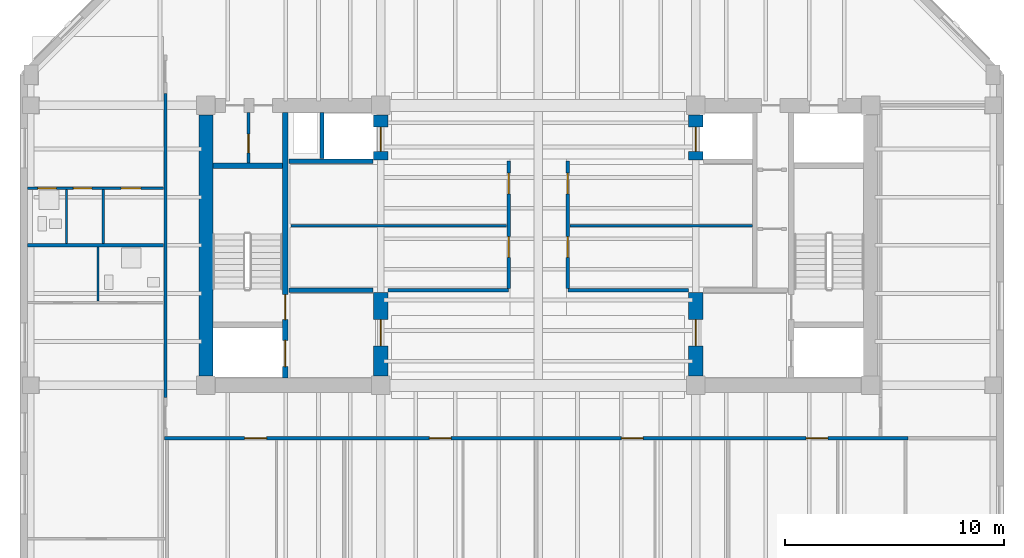
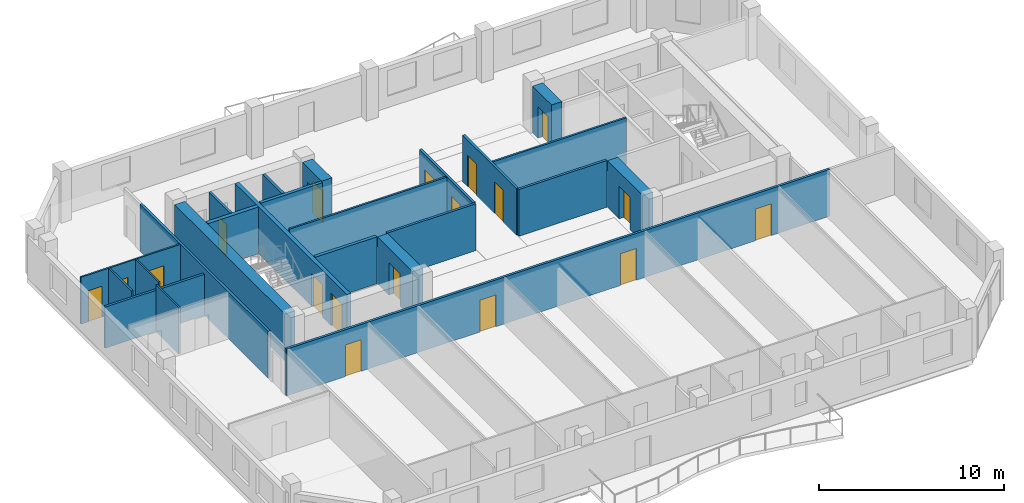
# One storey, part 4 of 11: 24 walls, 18 doors, 18 openings.
"""IFC4 building model written with IfcOpenShell, lengths in metres."""

from ifc_helpers import new_model, si_unit, direction, frame, frame_2d, origin, place, context, subcontext, project, spatial, rectangle, extrude, material, layer, layer_set, type_object, element, fill, save


model = new_model("IFC4")

# Units and contexts
model_context = context("Model", 3, precision=1e-05, world=origin(), true_north=direction((0.0, 1.0)))
body_context = subcontext(model_context, "Body", "Model", "MODEL_VIEW")
ifc_project = project(units=[si_unit("LENGTHUNIT", "METRE"), si_unit("AREAUNIT", "SQUARE_METRE"), si_unit("VOLUMEUNIT", "CUBIC_METRE"), si_unit("PLANEANGLEUNIT", "RADIAN"), si_unit("MASSUNIT", "GRAM", prefix="KILO")], contexts=[model_context])

# Site, building, storey
site_placement = place(None, origin())
site = spatial("IfcSite", under=ifc_project, at=site_placement, CompositionType="ELEMENT")
building_placement = place(site_placement, origin())
building = spatial("IfcBuilding", under=site, at=building_placement, Name="Kranthara Brick Stack", CompositionType="ELEMENT")
storey_placement = place(building_placement, frame((0.0, 0.0, 221.10009765625)))
storey = spatial("IfcBuildingStorey", under=building, at=storey_placement, Name="L57", CompositionType="ELEMENT", Elevation=221.10009765625)

# Wall, openings, doors
ifc_material_1 = material(Name="Concrete C50/60", Category="concrete")
ifc_layer_1 = layer(ifc_material_1, 0.25)
ifc_layer_set_1 = layer_set([ifc_layer_1], Name="Concrete C50/60")
wall_type_1 = type_object("IfcWallType", Name="WL-CORE-250", PredefinedType="SHEAR", material=ifc_layer_set_1)
wall_1_placement = place(storey_placement, frame((16.43505859375, 21.135009765625, 0.0), z_axis=(0.0, 0.0, 1.0), x_axis=(0.0, 1.0, 0.0)))
wall_1 = element("IfcWall", 1, at=wall_1_placement, inside=storey, type_object=wall_type_1, Name="L57 West Core Stair Bearing Spine Wall", PredefinedType="SHEAR", context=body_context, shape_type="SweptSolid", body=[
    extrude(rectangle(XDim=12.1298828125, YDim=0.25, at=frame_2d((6.06494140625, 0.0))), origin(), (0.0, 0.0, 1.0), 3.099853515625),
])
opening_1_placement = place(wall_1_placement, frame((0.514892578125, 0.0, 0.0)))
opening_1 = element("IfcOpeningElement", 2, at=opening_1_placement, cuts=wall_1, Name="Opening LD01", PredefinedType="OPENING", context=body_context, shape_type="SweptSolid", body=[
    extrude(rectangle(XDim=1.199951171875, YDim=2.14990234375, at=frame_2d((0.60009765625, 1.074951171875))), frame((0.0, 0.135009765625, 0.0), z_axis=(0.0, -1.0, 0.0), x_axis=(1.0, 0.0, 0.0)), (0.0, 0.0, 1.0), 0.27001953125),
])
opening_2_placement = place(wall_1_placement, frame((2.6650390625, 0.0, 0.0)))
opening_2 = element("IfcOpeningElement", 3, at=opening_2_placement, cuts=wall_1, Name="Opening D05", PredefinedType="OPENING", context=body_context, shape_type="SweptSolid", body=[
    extrude(rectangle(XDim=1.14990234375, YDim=2.14990234375, at=frame_2d((0.574951171875, 1.074951171875))), frame((0.0, 0.135009765625, 0.0), z_axis=(0.0, -1.0, 0.0), x_axis=(1.0, 0.0, 0.0)), (0.0, 0.0, 1.0), 0.27001953125),
])
ifc_material_2 = material(Name="Stainless steel sliding landing door", Category="steel")
door_type_1 = type_object("IfcDoorType", Name="DR-LD-FF1200", OperationType="DOUBLE_DOOR_SLIDING", PredefinedType="DOOR", material=ifc_material_2)
door_1_placement = place(opening_1_placement, origin())
door_1 = element("IfcDoor", 4, at=door_1_placement, inside=storey, type_object=door_type_1, Name="L57 Firefighting Lift FF-01 Landing Door", OperationType="DOUBLE_DOOR_SLIDING", OverallHeight=2.14990234375, OverallWidth=1.199951171875, PredefinedType="DOOR", context=body_context, shape_type="SweptSolid", body=[
    extrude(rectangle(XDim=1.199951171875, YDim=2.14990234375, at=frame_2d((0.60009765625, 1.074951171875))), frame((0.0, 0.02490234375, 0.0), z_axis=(0.0, -1.0, 0.0), x_axis=(1.0, 0.0, 0.0)), (0.0, 0.0, 1.0), 0.050048828125),
])
fill(opening_1, door_1)
ifc_material_3 = material(Name="Solid-core hardwood timber leaf in steel frame", Category="steel")
door_type_2 = type_object("IfcDoorType", Name="DR-ST-1150", OperationType="NOTDEFINED", PredefinedType="DOOR", material=ifc_material_3)
door_2_placement = place(opening_2_placement, origin())
door_2 = element("IfcDoor", 5, at=door_2_placement, inside=storey, type_object=door_type_2, Name="L57 Exit Stair ST01 Door", OperationType="SINGLE_SWING_RIGHT", OverallHeight=2.14990234375, OverallWidth=1.14990234375, PredefinedType="DOOR", context=body_context, shape_type="SweptSolid", body=[
    extrude(rectangle(XDim=1.14990234375, YDim=2.14990234375, at=frame_2d((0.574951171875, 1.074951171875))), frame((0.0, 0.02490234375, 0.0), z_axis=(0.0, -1.0, 0.0), x_axis=(1.0, 0.0, 0.0)), (0.0, 0.0, 1.0), 0.050048828125),
])
fill(opening_2, door_2)

# Walls
wall_2_placement = place(storey_placement, frame((13.135009765625, 30.830078125, 0.0), z_axis=(0.0, 0.0, 1.0), x_axis=(1.0, 0.0, 0.0)))
element("IfcWall", 6, at=wall_2_placement, inside=storey, type_object=wall_type_1, Name="L57 West Stairwell Bearing Wall WST", PredefinedType="SHEAR", context=body_context, shape_type="SweptSolid", body=[
    extrude(rectangle(XDim=3.175048828125, YDim=0.25, at=frame_2d((1.58740234375, 0.0))), origin(), (0.0, 0.0, 1.0), 3.099853515625),
])
ifc_material_4 = material(Name="Concrete C60/75", Category="concrete")
ifc_layer_2 = layer(ifc_material_4, 0.64990234375)
ifc_layer_set_2 = layer_set([ifc_layer_2], Name="Concrete C60/75")
wall_type_2 = type_object("IfcWallType", Name="WL-CORE-650", PredefinedType="SHEAR", material=ifc_layer_set_2)
wall_3_placement = place(storey_placement, frame((12.800048828125, 21.22998046875, 0.0), z_axis=(0.0, 0.0, 1.0), x_axis=(0.0, 1.0, 0.0)))
element("IfcWall", 7, at=wall_3_placement, inside=storey, type_object=wall_type_2, Name="L57 West Core Shear Wall West", PredefinedType="SHEAR", context=body_context, shape_type="SweptSolid", body=[
    extrude(rectangle(XDim=11.93994140625, YDim=0.64990234375, at=frame_2d((5.969970703125, 0.0))), origin(), (0.0, 0.0, 1.0), 3.099853515625),
])

# Wall, opening, door
wall_4_placement = place(storey_placement, frame((20.800048828125, 21.22998046875, 0.0), z_axis=(0.0, 0.0, 1.0), x_axis=(0.0, 1.0, 0.0)))
wall_4 = element("IfcWall", 8, at=wall_4_placement, inside=storey, type_object=wall_type_2, Name="L57 West Core Lobby Shear Wall", PredefinedType="SHEAR", context=body_context, shape_type="SweptSolid", body=[
    extrude(rectangle(XDim=3.820068359375, YDim=0.64990234375, at=frame_2d((1.91015625, 0.0))), origin(), (0.0, 0.0, 1.0), 3.099853515625),
])
opening_3_placement = place(wall_4_placement, frame((1.3701171875, 0.0, 0.0)))
opening_3 = element("IfcOpeningElement", 9, at=opening_3_placement, cuts=wall_4, Name="Opening D06", PredefinedType="OPENING", context=body_context, shape_type="SweptSolid", body=[
    extrude(rectangle(XDim=1.199951171875, YDim=2.14990234375, at=frame_2d((0.60009765625, 1.074951171875))), frame((0.0, 0.3349609375, 0.0), z_axis=(0.0, -1.0, 0.0), x_axis=(1.0, 0.0, 0.0)), (0.0, 0.0, 1.0), 0.669921875),
])
ifc_material_5 = material(Name="Solid-core hardwood timber leaf in steel frame", Category="steel")
door_type_3 = type_object("IfcDoorType", Name="DR-FFL-1200", OperationType="NOTDEFINED", PredefinedType="DOOR", material=ifc_material_5)
door_3_placement = place(opening_3_placement, origin())
door_3 = element("IfcDoor", 10, at=door_3_placement, inside=storey, type_object=door_type_3, Name="L57 West Firefighting Lobby Door", OperationType="SINGLE_SWING_LEFT", OverallHeight=2.14990234375, OverallWidth=1.199951171875, PredefinedType="DOOR", context=body_context, shape_type="SweptSolid", body=[
    extrude(rectangle(XDim=1.199951171875, YDim=2.14990234375, at=frame_2d((0.60009765625, 1.074951171875))), frame((0.0, 0.02490234375, 0.0), z_axis=(0.0, -1.0, 0.0), x_axis=(1.0, 0.0, 0.0)), (0.0, 0.0, 1.0), 0.050048828125),
])
fill(opening_3, door_3)

wall_5_placement = place(storey_placement, frame((20.800048828125, 31.10009765625, 0.0), z_axis=(0.0, 0.0, 1.0), x_axis=(0.0, 1.0, 0.0)))
wall_5 = element("IfcWall", 11, at=wall_5_placement, inside=storey, type_object=wall_type_2, Name="L57 West Core High-Rise Lift Wall", PredefinedType="SHEAR", context=body_context, shape_type="SweptSolid", body=[
    extrude(rectangle(XDim=2.06982421875, YDim=0.64990234375, at=frame_2d((1.034912109375, 0.0))), origin(), (0.0, 0.0, 1.0), 3.099853515625),
])
opening_4_placement = place(wall_5_placement, frame((0.39990234375, 0.0, 0.0)))
opening_4 = element("IfcOpeningElement", 12, at=opening_4_placement, cuts=wall_5, Name="Opening LD02", PredefinedType="OPENING", context=body_context, shape_type="SweptSolid", body=[
    extrude(rectangle(XDim=1.10009765625, YDim=2.10009765625, at=frame_2d((0.550048828125, 1.050048828125))), frame((0.0, 0.3349609375, 0.0), z_axis=(0.0, -1.0, 0.0), x_axis=(1.0, 0.0, 0.0)), (0.0, 0.0, 1.0), 0.669921875),
])
ifc_material_6 = material(Name="Stainless steel sliding landing door", Category="steel")
door_type_4 = type_object("IfcDoorType", Name="DR-LD-PL1100", OperationType="DOUBLE_DOOR_SLIDING", PredefinedType="DOOR", material=ifc_material_6)
door_4_placement = place(opening_4_placement, origin())
door_4 = element("IfcDoor", 13, at=door_4_placement, inside=storey, type_object=door_type_4, Name="L57 PL-07 Lift Landing Door", OperationType="DOUBLE_DOOR_SLIDING", OverallHeight=2.10009765625, OverallWidth=1.10009765625, PredefinedType="DOOR", context=body_context, shape_type="SweptSolid", body=[
    extrude(rectangle(XDim=1.10009765625, YDim=2.10009765625, at=frame_2d((0.550048828125, 1.050048828125))), frame((0.0, 0.02490234375, 0.0), z_axis=(0.0, -1.0, 0.0), x_axis=(1.0, 0.0, 0.0)), (0.0, 0.0, 1.0), 0.050048828125),
])
fill(opening_4, door_4)

wall_6_placement = place(storey_placement, frame((35.199951171875, 21.22998046875, 0.0), z_axis=(0.0, 0.0, 1.0), x_axis=(0.0, 1.0, 0.0)))
wall_6 = element("IfcWall", 14, at=wall_6_placement, inside=storey, type_object=wall_type_2, Name="L57 East Core Lobby Shear Wall", PredefinedType="SHEAR", context=body_context, shape_type="SweptSolid", body=[
    extrude(rectangle(XDim=3.820068359375, YDim=0.64990234375, at=frame_2d((1.91015625, 0.0))), origin(), (0.0, 0.0, 1.0), 3.099853515625),
])
opening_5_placement = place(wall_6_placement, frame((1.3701171875, 0.0, 0.0)))
opening_5 = element("IfcOpeningElement", 15, at=opening_5_placement, cuts=wall_6, Name="Opening D06", PredefinedType="OPENING", context=body_context, shape_type="SweptSolid", body=[
    extrude(rectangle(XDim=1.199951171875, YDim=2.14990234375, at=frame_2d((0.60009765625, 1.074951171875))), frame((0.0, 0.3349609375, 0.0), z_axis=(0.0, -1.0, 0.0), x_axis=(1.0, 0.0, 0.0)), (0.0, 0.0, 1.0), 0.669921875),
])
door_5_placement = place(opening_5_placement, origin())
door_5 = element("IfcDoor", 16, at=door_5_placement, inside=storey, type_object=door_type_3, Name="L57 East Firefighting Lobby Door", OperationType="SINGLE_SWING_RIGHT", OverallHeight=2.14990234375, OverallWidth=1.199951171875, PredefinedType="DOOR", context=body_context, shape_type="SweptSolid", body=[
    extrude(rectangle(XDim=1.199951171875, YDim=2.14990234375, at=frame_2d((0.60009765625, 1.074951171875))), frame((0.0, 0.02490234375, 0.0), z_axis=(0.0, -1.0, 0.0), x_axis=(1.0, 0.0, 0.0)), (0.0, 0.0, 1.0), 0.050048828125),
])
fill(opening_5, door_5)

wall_7_placement = place(storey_placement, frame((35.199951171875, 31.10009765625, 0.0), z_axis=(0.0, 0.0, 1.0), x_axis=(0.0, 1.0, 0.0)))
wall_7 = element("IfcWall", 17, at=wall_7_placement, inside=storey, type_object=wall_type_2, Name="L57 East Core High-Rise Lift Wall", PredefinedType="SHEAR", context=body_context, shape_type="SweptSolid", body=[
    extrude(rectangle(XDim=2.06982421875, YDim=0.64990234375, at=frame_2d((1.034912109375, 0.0))), origin(), (0.0, 0.0, 1.0), 3.099853515625),
])
opening_6_placement = place(wall_7_placement, frame((0.39990234375, 0.0, 0.0)))
opening_6 = element("IfcOpeningElement", 18, at=opening_6_placement, cuts=wall_7, Name="Opening LD02", PredefinedType="OPENING", context=body_context, shape_type="SweptSolid", body=[
    extrude(rectangle(XDim=1.10009765625, YDim=2.10009765625, at=frame_2d((0.550048828125, 1.050048828125))), frame((0.0, 0.3349609375, 0.0), z_axis=(0.0, -1.0, 0.0), x_axis=(1.0, 0.0, 0.0)), (0.0, 0.0, 1.0), 0.669921875),
])
door_6_placement = place(opening_6_placement, origin())
door_6 = element("IfcDoor", 19, at=door_6_placement, inside=storey, type_object=door_type_4, Name="L57 PL-08 Lift Landing Door", OperationType="DOUBLE_DOOR_SLIDING", OverallHeight=2.10009765625, OverallWidth=1.10009765625, PredefinedType="DOOR", context=body_context, shape_type="SweptSolid", body=[
    extrude(rectangle(XDim=1.10009765625, YDim=2.10009765625, at=frame_2d((0.550048828125, 1.050048828125))), frame((0.0, 0.02490234375, 0.0), z_axis=(0.0, -1.0, 0.0), x_axis=(1.0, 0.0, 0.0)), (0.0, 0.0, 1.0), 0.050048828125),
])
fill(opening_6, door_6)

# Wall
ifc_material_7 = material(Name="Moisture-resistant wet-room partition", Category="other")
ifc_layer_3 = layer(ifc_material_7, 0.10009765625)
ifc_layer_set_3 = layer_set([ifc_layer_3], Name="Moisture-resistant wet-room partition")
wall_type_3 = type_object("IfcWallType", Name="WL-PART-100", PredefinedType="PARTITIONING", material=ifc_layer_set_3)
wall_8_placement = place(storey_placement, frame((7.864990234375, 24.64501953125, 0.0), z_axis=(0.0, 0.0, 1.0), x_axis=(0.0, 1.0, 0.0)))
element("IfcWall", 20, at=wall_8_placement, inside=storey, type_object=wall_type_3, Name="L57 Interior Partition 037", PredefinedType="PARTITIONING", context=body_context, shape_type="SweptSolid", body=[
    extrude(rectangle(XDim=2.47509765625, YDim=0.10009765625, at=frame_2d((1.237548828125, 0.0))), origin(), (0.0, 0.0, 1.0), 3.099853515625),
])

# Wall, openings, doors
wall_9_placement = place(storey_placement, frame((4.64501953125, 29.81005859375, 0.0), z_axis=(0.0, 0.0, 1.0), x_axis=(1.0, 0.0, 0.0)))
wall_9 = element("IfcWall", 21, at=wall_9_placement, inside=storey, type_object=wall_type_3, Name="L57 Interior Partition 038", PredefinedType="PARTITIONING", context=body_context, shape_type="SweptSolid", body=[
    extrude(rectangle(XDim=6.22509765625, YDim=0.10009765625, at=frame_2d((3.112548828125, 0.0))), origin(), (0.0, 0.0, 1.0), 3.099853515625),
])
opening_7_placement = place(wall_9_placement, frame((0.471923828125, 0.0, 0.0)))
opening_7 = element("IfcOpeningElement", 22, at=opening_7_placement, cuts=wall_9, Name="Opening D17", PredefinedType="OPENING", context=body_context, shape_type="SweptSolid", body=[
    extrude(rectangle(XDim=0.85009765625, YDim=2.050048828125, at=frame_2d((0.425048828125, 1.02490234375))), frame((0.0, 0.06005859375, 0.0), z_axis=(0.0, -1.0, 0.0), x_axis=(1.0, 0.0, 0.0)), (0.0, 0.0, 1.0), 0.1201171875),
])
opening_8_placement = place(wall_9_placement, frame((2.092041015625, 0.0, 0.0)))
opening_8 = element("IfcOpeningElement", 23, at=opening_8_placement, cuts=wall_9, Name="Opening D16", PredefinedType="OPENING", context=body_context, shape_type="SweptSolid", body=[
    extrude(rectangle(XDim=0.85009765625, YDim=2.050048828125, at=frame_2d((0.425048828125, 1.02490234375))), frame((0.0, 0.06005859375, 0.0), z_axis=(0.0, -1.0, 0.0), x_axis=(1.0, 0.0, 0.0)), (0.0, 0.0, 1.0), 0.1201171875),
])
opening_9_placement = place(wall_9_placement, frame((4.284912109375, 0.0, 0.0)))
opening_9 = element("IfcOpeningElement", 24, at=opening_9_placement, cuts=wall_9, Name="Opening D15", PredefinedType="OPENING", context=body_context, shape_type="SweptSolid", body=[
    extrude(rectangle(XDim=0.89990234375, YDim=2.050048828125, at=frame_2d((0.449951171875, 1.02490234375))), frame((0.0, 0.06005859375, 0.0), z_axis=(0.0, -1.0, 0.0), x_axis=(1.0, 0.0, 0.0)), (0.0, 0.0, 1.0), 0.1201171875),
])
ifc_material_8 = material(Name="Solid-core hardwood timber leaf in steel frame", Category="steel")
door_type_5 = type_object("IfcDoorType", Name="DR-INT-850", OperationType="NOTDEFINED", PredefinedType="DOOR", material=ifc_material_8)
door_7_placement = place(opening_8_placement, origin())
door_7 = element("IfcDoor", 25, at=door_7_placement, inside=storey, type_object=door_type_5, Name="L57 Unit L57F Kitchen 31", OperationType="SINGLE_SWING_LEFT", OverallHeight=2.050048828125, OverallWidth=0.85009765625, PredefinedType="DOOR", context=body_context, shape_type="SweptSolid", body=[
    extrude(rectangle(XDim=0.85009765625, YDim=2.050048828125, at=frame_2d((0.425048828125, 1.02490234375))), frame((0.0, 0.02490234375, 0.0), z_axis=(0.0, -1.0, 0.0), x_axis=(1.0, 0.0, 0.0)), (0.0, 0.0, 1.0), 0.050048828125),
])
fill(opening_8, door_7)
ifc_material_9 = material(Name="Solid-core hardwood timber leaf in steel frame", Category="steel")
door_type_6 = type_object("IfcDoorType", Name="DR-INT-900", OperationType="NOTDEFINED", PredefinedType="DOOR", material=ifc_material_9)
door_8_placement = place(opening_9_placement, origin())
door_8 = element("IfcDoor", 26, at=door_8_placement, inside=storey, type_object=door_type_6, Name="L57 Unit L57F Bedroom 32", OperationType="SINGLE_SWING_RIGHT", OverallHeight=2.050048828125, OverallWidth=0.89990234375, PredefinedType="DOOR", context=body_context, shape_type="SweptSolid", body=[
    extrude(rectangle(XDim=0.89990234375, YDim=2.050048828125, at=frame_2d((0.449951171875, 1.02490234375))), frame((0.0, 0.02490234375, 0.0), z_axis=(0.0, -1.0, 0.0), x_axis=(1.0, 0.0, 0.0)), (0.0, 0.0, 1.0), 0.050048828125),
])
fill(opening_9, door_8)
ifc_material_10 = material(Name="Solid-core hardwood timber leaf in steel frame", Category="steel")
door_type_7 = type_object("IfcDoorType", Name="DR-WET-850", OperationType="NOTDEFINED", PredefinedType="DOOR", material=ifc_material_10)
door_9_placement = place(opening_7_placement, origin())
door_9 = element("IfcDoor", 27, at=door_9_placement, inside=storey, type_object=door_type_7, Name="L57 Unit L57F Bathroom 30", OperationType="SINGLE_SWING_RIGHT", OverallHeight=2.050048828125, OverallWidth=0.85009765625, PredefinedType="DOOR", context=body_context, shape_type="SweptSolid", body=[
    extrude(rectangle(XDim=0.85009765625, YDim=2.050048828125, at=frame_2d((0.425048828125, 1.02490234375))), frame((0.0, 0.02490234375, 0.0), z_axis=(0.0, -1.0, 0.0), x_axis=(1.0, 0.0, 0.0)), (0.0, 0.0, 1.0), 0.050048828125),
])
fill(opening_7, door_9)

# Walls
for number, where, z_axis, x_axis, name in (
    (28, (6.425048828125, 27.280029296875, 0.0), (0.0, 0.0, 1.0), (0.0, 1.0, 0.0), "L57 Interior Partition 039"),
    (29, (8.110107421875, 27.280029296875, 0.0), (0.0, 0.0, 1.0), (0.0, 1.0, 0.0), "L57 Interior Partition 040"),
):
    element("IfcWall", number, at=place(storey_placement, frame(where, z_axis=z_axis, x_axis=x_axis)), inside=storey, type_object=wall_type_3, Name=name, PredefinedType="PARTITIONING", context=body_context, shape_type="SweptSolid", body=[
        extrude(rectangle(XDim=2.474853515625, YDim=0.10009765625, at=frame_2d((1.2373046875, 0.0))), origin(), (0.0, 0.0, 1.0), 3.099853515625),
    ])
ifc_material_11 = material(Name="Acoustic gypsum plasterboard partition", Category="other")
ifc_layer_4 = layer(ifc_material_11, 0.1201171875)
ifc_layer_set_4 = layer_set([ifc_layer_4], Name="Acoustic gypsum plasterboard partition")
wall_type_4 = type_object("IfcWallType", Name="WL-PART-120", PredefinedType="PARTITIONING", material=ifc_layer_set_4)
wall_10_placement = place(storey_placement, frame((16.699951171875, 28.10009765625, 0.0), z_axis=(0.0, 0.0, 1.0), x_axis=(1.0, 0.0, 0.0)))
element("IfcWall", 30, at=wall_10_placement, inside=storey, type_object=wall_type_4, Name="L57 Interior Partition 007", PredefinedType="PARTITIONING", context=body_context, shape_type="SweptSolid", body=[
    extrude(rectangle(XDim=9.85009765625, YDim=0.1201171875, at=frame_2d((4.925048828125, 0.0))), origin(), (0.0, 0.0, 1.0), 3.099853515625),
])
wall_11_placement = place(storey_placement, frame((29.449951171875, 28.10009765625, 0.0), z_axis=(0.0, 0.0, 1.0), x_axis=(1.0, 0.0, 0.0)))
element("IfcWall", 31, at=wall_11_placement, inside=storey, type_object=wall_type_4, Name="L57 Interior Partition 009", PredefinedType="PARTITIONING", context=body_context, shape_type="SweptSolid", body=[
    extrude(rectangle(XDim=8.344970703125, YDim=0.1201171875, at=frame_2d((4.17236328125, 0.0))), origin(), (0.0, 0.0, 1.0), 3.099853515625),
])

# Wall, opening, door
ifc_material_12 = material(Name="Fire-rated gypsum board partition", Category="other")
ifc_layer_5 = layer(ifc_material_12, 0.14990234375)
ifc_layer_set_5 = layer_set([ifc_layer_5], Name="Fire-rated gypsum board partition")
wall_type_5 = type_object("IfcWallType", Name="WL-PART-150", PredefinedType="PARTITIONING", material=ifc_layer_set_5)
wall_12_placement = place(storey_placement, frame((14.75, 30.9599609375, 0.0), z_axis=(0.0, 0.0, 1.0), x_axis=(0.0, 1.0, 0.0)))
wall_12 = element("IfcWall", 32, at=wall_12_placement, inside=storey, type_object=wall_type_5, Name="L57 Interior Partition 001", PredefinedType="PARTITIONING", context=body_context, shape_type="SweptSolid", body=[
    extrude(rectangle(XDim=2.31005859375, YDim=0.14990234375, at=frame_2d((1.155029296875, 0.0))), origin(), (0.0, 0.0, 1.0), 3.099853515625),
])
opening_10_placement = place(wall_12_placement, frame((0.469970703125, 0.0, 0.0)))
opening_10 = element("IfcOpeningElement", 33, at=opening_10_placement, cuts=wall_12, Name="Opening D10", PredefinedType="OPENING", context=body_context, shape_type="SweptSolid", body=[
    extrude(rectangle(XDim=0.85009765625, YDim=2.02001953125, at=frame_2d((0.425048828125, 1.010009765625))), frame((0.0, 0.0849609375, 0.0), z_axis=(0.0, -1.0, 0.0), x_axis=(1.0, 0.0, 0.0)), (0.0, 0.0, 1.0), 0.169921875),
])
ifc_material_13 = material(Name="Solid-core hardwood timber leaf in steel frame", Category="steel")
door_type_8 = type_object("IfcDoorType", Name="DR-RSR-850", OperationType="NOTDEFINED", PredefinedType="DOOR", material=ifc_material_13)
door_10_placement = place(opening_10_placement, origin())
door_10 = element("IfcDoor", 34, at=door_10_placement, inside=storey, type_object=door_type_8, Name="L57 Service Interconnect 01", OperationType="SINGLE_SWING_LEFT", OverallHeight=2.02001953125, OverallWidth=0.85009765625, PredefinedType="DOOR", context=body_context, shape_type="SweptSolid", body=[
    extrude(rectangle(XDim=0.85009765625, YDim=2.02001953125, at=frame_2d((0.425048828125, 1.010009765625))), frame((0.0, 0.02490234375, 0.0), z_axis=(0.0, -1.0, 0.0), x_axis=(1.0, 0.0, 0.0)), (0.0, 0.0, 1.0), 0.050048828125),
])
fill(opening_10, door_10)

# Walls
for number, where, z_axis, x_axis, name in (
    (35, (21.1298828125, 25.14990234375, 0.0), (0.0, 0.0, 1.0), (1.0, 0.0, 0.0), "L57 Interior Partition 004"),
    (36, (29.35009765625, 25.14990234375, 0.0), (0.0, 0.0, 1.0), (1.0, 0.0, 0.0), "L57 Interior Partition 005"),
):
    element("IfcWall", number, at=place(storey_placement, frame(where, z_axis=z_axis, x_axis=x_axis)), inside=storey, type_object=wall_type_5, Name=name, PredefinedType="PARTITIONING", context=body_context, shape_type="SweptSolid", body=[
        extrude(rectangle(XDim=5.52001953125, YDim=0.14990234375, at=frame_2d((2.760009765625, 0.0))), origin(), (0.0, 0.0, 1.0), 3.099853515625),
    ])

# Wall, openings, doors
wall_13_placement = place(storey_placement, frame((26.64990234375, 25.22998046875, 0.0), z_axis=(0.0, 0.0, 1.0), x_axis=(0.0, 1.0, 0.0)))
wall_13 = element("IfcWall", 37, at=wall_13_placement, inside=storey, type_object=wall_type_5, Name="L57 Interior Partition 006", PredefinedType="PARTITIONING", context=body_context, shape_type="SweptSolid", body=[
    extrude(rectangle(XDim=5.820068359375, YDim=0.14990234375, at=frame_2d((2.91015625, 0.0))), origin(), (0.0, 0.0, 1.0), 3.099853515625),
])
opening_11_placement = place(wall_13_placement, frame((1.419921875, 0.0, 0.0)))
opening_11 = element("IfcOpeningElement", 38, at=opening_11_placement, cuts=wall_13, Name="Opening D09", PredefinedType="OPENING", context=body_context, shape_type="SweptSolid", body=[
    extrude(rectangle(XDim=0.949951171875, YDim=2.10009765625, at=frame_2d((0.47509765625, 1.050048828125))), frame((0.0, 0.0849609375, 0.0), z_axis=(0.0, -1.0, 0.0), x_axis=(1.0, 0.0, 0.0)), (0.0, 0.0, 1.0), 0.169921875),
])
opening_12_placement = place(wall_13_placement, frame((4.320068359375, 0.0, 0.0)))
opening_12 = element("IfcOpeningElement", 39, at=opening_12_placement, cuts=wall_13, Name="Opening D09", PredefinedType="OPENING", context=body_context, shape_type="SweptSolid", body=[
    extrude(rectangle(XDim=0.949951171875, YDim=2.10009765625, at=frame_2d((0.47509765625, 1.050048828125))), frame((0.0, 0.0849609375, 0.0), z_axis=(0.0, -1.0, 0.0), x_axis=(1.0, 0.0, 0.0)), (0.0, 0.0, 1.0), 0.169921875),
])
ifc_material_14 = material(Name="Solid-core hardwood timber leaf in steel frame", Category="steel")
door_type_9 = type_object("IfcDoorType", Name="DR-FD-950", OperationType="NOTDEFINED", PredefinedType="DOOR", material=ifc_material_14)
door_11_placement = place(opening_11_placement, origin())
door_11 = element("IfcDoor", 40, at=door_11_placement, inside=storey, type_object=door_type_9, Name="L57 Residents Study A 04", OperationType="SINGLE_SWING_RIGHT", OverallHeight=2.10009765625, OverallWidth=0.949951171875, PredefinedType="DOOR", context=body_context, shape_type="SweptSolid", body=[
    extrude(rectangle(XDim=0.949951171875, YDim=2.10009765625, at=frame_2d((0.47509765625, 1.050048828125))), frame((0.0, 0.02490234375, 0.0), z_axis=(0.0, -1.0, 0.0), x_axis=(1.0, 0.0, 0.0)), (0.0, 0.0, 1.0), 0.050048828125),
])
fill(opening_11, door_11)
door_12_placement = place(opening_12_placement, origin())
door_12 = element("IfcDoor", 41, at=door_12_placement, inside=storey, type_object=door_type_9, Name="L57 Residents Media Room 05", OperationType="SINGLE_SWING_LEFT", OverallHeight=2.10009765625, OverallWidth=0.949951171875, PredefinedType="DOOR", context=body_context, shape_type="SweptSolid", body=[
    extrude(rectangle(XDim=0.949951171875, YDim=2.10009765625, at=frame_2d((0.47509765625, 1.050048828125))), frame((0.0, 0.02490234375, 0.0), z_axis=(0.0, -1.0, 0.0), x_axis=(1.0, 0.0, 0.0)), (0.0, 0.0, 1.0), 0.050048828125),
])
fill(opening_12, door_12)

wall_14_placement = place(storey_placement, frame((29.35009765625, 25.22998046875, 0.0), z_axis=(0.0, 0.0, 1.0), x_axis=(0.0, 1.0, 0.0)))
wall_14 = element("IfcWall", 42, at=wall_14_placement, inside=storey, type_object=wall_type_5, Name="L57 Interior Partition 008", PredefinedType="PARTITIONING", context=body_context, shape_type="SweptSolid", body=[
    extrude(rectangle(XDim=5.820068359375, YDim=0.14990234375, at=frame_2d((2.91015625, 0.0))), origin(), (0.0, 0.0, 1.0), 3.099853515625),
])
opening_13_placement = place(wall_14_placement, frame((1.419921875, 0.0, 0.0)))
opening_13 = element("IfcOpeningElement", 43, at=opening_13_placement, cuts=wall_14, Name="Opening D09", PredefinedType="OPENING", context=body_context, shape_type="SweptSolid", body=[
    extrude(rectangle(XDim=0.949951171875, YDim=2.10009765625, at=frame_2d((0.47509765625, 1.050048828125))), frame((0.0, 0.0849609375, 0.0), z_axis=(0.0, -1.0, 0.0), x_axis=(1.0, 0.0, 0.0)), (0.0, 0.0, 1.0), 0.169921875),
])
opening_14_placement = place(wall_14_placement, frame((4.320068359375, 0.0, 0.0)))
opening_14 = element("IfcOpeningElement", 44, at=opening_14_placement, cuts=wall_14, Name="Opening D09", PredefinedType="OPENING", context=body_context, shape_type="SweptSolid", body=[
    extrude(rectangle(XDim=0.949951171875, YDim=2.10009765625, at=frame_2d((0.47509765625, 1.050048828125))), frame((0.0, 0.0849609375, 0.0), z_axis=(0.0, -1.0, 0.0), x_axis=(1.0, 0.0, 0.0)), (0.0, 0.0, 1.0), 0.169921875),
])
door_13_placement = place(opening_13_placement, origin())
door_13 = element("IfcDoor", 45, at=door_13_placement, inside=storey, type_object=door_type_9, Name="L57 Private Tea Room 06", OperationType="SINGLE_SWING_RIGHT", OverallHeight=2.10009765625, OverallWidth=0.949951171875, PredefinedType="DOOR", context=body_context, shape_type="SweptSolid", body=[
    extrude(rectangle(XDim=0.949951171875, YDim=2.10009765625, at=frame_2d((0.47509765625, 1.050048828125))), frame((0.0, 0.02490234375, 0.0), z_axis=(0.0, -1.0, 0.0), x_axis=(1.0, 0.0, 0.0)), (0.0, 0.0, 1.0), 0.050048828125),
])
fill(opening_13, door_13)
door_14_placement = place(opening_14_placement, origin())
door_14 = element("IfcDoor", 46, at=door_14_placement, inside=storey, type_object=door_type_9, Name="L57 Private Dining Room 07", OperationType="SINGLE_SWING_LEFT", OverallHeight=2.10009765625, OverallWidth=0.949951171875, PredefinedType="DOOR", context=body_context, shape_type="SweptSolid", body=[
    extrude(rectangle(XDim=0.949951171875, YDim=2.10009765625, at=frame_2d((0.47509765625, 1.050048828125))), frame((0.0, 0.02490234375, 0.0), z_axis=(0.0, -1.0, 0.0), x_axis=(1.0, 0.0, 0.0)), (0.0, 0.0, 1.0), 0.050048828125),
])
fill(opening_14, door_14)

wall_15_placement = place(storey_placement, frame((10.89990234375, 18.3798828125, 0.0), z_axis=(0.0, 0.0, 1.0), x_axis=(1.0, 0.0, 0.0)))
wall_15 = element("IfcWall", 47, at=wall_15_placement, inside=storey, type_object=wall_type_5, Name="L57 Interior Partition 010", PredefinedType="PARTITIONING", context=body_context, shape_type="SweptSolid", body=[
    extrude(rectangle(XDim=34.02001953125, YDim=0.14990234375, at=frame_2d((17.010009765625, 0.0))), origin(), (0.0, 0.0, 1.0), 3.099853515625),
])
opening_15_placement = place(wall_15_placement, frame((3.674072265625, 0.0, 0.0)))
opening_15 = element("IfcOpeningElement", 48, at=opening_15_placement, cuts=wall_15, Name="Opening D08", PredefinedType="OPENING", context=body_context, shape_type="SweptSolid", body=[
    extrude(rectangle(XDim=1.0, YDim=2.10009765625, at=frame_2d((0.5, 1.050048828125))), frame((0.0, 0.0849609375, 0.0), z_axis=(0.0, -1.0, 0.0), x_axis=(1.0, 0.0, 0.0)), (0.0, 0.0, 1.0), 0.169921875),
])
opening_16_placement = place(wall_15_placement, frame((12.117919921875, 0.0, 0.0)))
opening_16 = element("IfcOpeningElement", 49, at=opening_16_placement, cuts=wall_15, Name="Opening D08", PredefinedType="OPENING", context=body_context, shape_type="SweptSolid", body=[
    extrude(rectangle(XDim=1.0, YDim=2.10009765625, at=frame_2d((0.5, 1.050048828125))), frame((0.0, 0.0849609375, 0.0), z_axis=(0.0, -1.0, 0.0), x_axis=(1.0, 0.0, 0.0)), (0.0, 0.0, 1.0), 0.169921875),
])
opening_17_placement = place(wall_15_placement, frame((20.90087890625, 0.0, 0.0)))
opening_17 = element("IfcOpeningElement", 50, at=opening_17_placement, cuts=wall_15, Name="Opening D08", PredefinedType="OPENING", context=body_context, shape_type="SweptSolid", body=[
    extrude(rectangle(XDim=1.0, YDim=2.10009765625, at=frame_2d((0.5, 1.050048828125))), frame((0.0, 0.0849609375, 0.0), z_axis=(0.0, -1.0, 0.0), x_axis=(1.0, 0.0, 0.0)), (0.0, 0.0, 1.0), 0.169921875),
])
opening_18_placement = place(wall_15_placement, frame((29.345947265625, 0.0, 0.0)))
opening_18 = element("IfcOpeningElement", 51, at=opening_18_placement, cuts=wall_15, Name="Opening D08", PredefinedType="OPENING", context=body_context, shape_type="SweptSolid", body=[
    extrude(rectangle(XDim=1.0, YDim=2.10009765625, at=frame_2d((0.5, 1.050048828125))), frame((0.0, 0.0849609375, 0.0), z_axis=(0.0, -1.0, 0.0), x_axis=(1.0, 0.0, 0.0)), (0.0, 0.0, 1.0), 0.169921875),
])
ifc_material_15 = material(Name="Solid-core hardwood timber leaf in steel frame", Category="steel")
door_type_10 = type_object("IfcDoorType", Name="DR-FD-1000", OperationType="NOTDEFINED", PredefinedType="DOOR", material=ifc_material_15)
door_15_placement = place(opening_15_placement, origin())
door_15 = element("IfcDoor", 52, at=door_15_placement, inside=storey, type_object=door_type_10, Name="L57 Unit L57A Entrance 08", OperationType="SINGLE_SWING_RIGHT", OverallHeight=2.10009765625, OverallWidth=1.0, PredefinedType="DOOR", context=body_context, shape_type="SweptSolid", body=[
    extrude(rectangle(XDim=1.0, YDim=2.10009765625, at=frame_2d((0.5, 1.050048828125))), frame((0.0, 0.02490234375, 0.0), z_axis=(0.0, -1.0, 0.0), x_axis=(1.0, 0.0, 0.0)), (0.0, 0.0, 1.0), 0.050048828125),
])
fill(opening_15, door_15)
door_16_placement = place(opening_16_placement, origin())
door_16 = element("IfcDoor", 53, at=door_16_placement, inside=storey, type_object=door_type_10, Name="L57 Unit L57B Entrance 12", OperationType="SINGLE_SWING_RIGHT", OverallHeight=2.10009765625, OverallWidth=1.0, PredefinedType="DOOR", context=body_context, shape_type="SweptSolid", body=[
    extrude(rectangle(XDim=1.0, YDim=2.10009765625, at=frame_2d((0.5, 1.050048828125))), frame((0.0, 0.02490234375, 0.0), z_axis=(0.0, -1.0, 0.0), x_axis=(1.0, 0.0, 0.0)), (0.0, 0.0, 1.0), 0.050048828125),
])
fill(opening_16, door_16)
door_17_placement = place(opening_17_placement, origin())
door_17 = element("IfcDoor", 54, at=door_17_placement, inside=storey, type_object=door_type_10, Name="L57 Unit L57C Entrance 16", OperationType="SINGLE_SWING_RIGHT", OverallHeight=2.10009765625, OverallWidth=1.0, PredefinedType="DOOR", context=body_context, shape_type="SweptSolid", body=[
    extrude(rectangle(XDim=1.0, YDim=2.10009765625, at=frame_2d((0.5, 1.050048828125))), frame((0.0, 0.02490234375, 0.0), z_axis=(0.0, -1.0, 0.0), x_axis=(1.0, 0.0, 0.0)), (0.0, 0.0, 1.0), 0.050048828125),
])
fill(opening_17, door_17)
door_18_placement = place(opening_18_placement, origin())
door_18 = element("IfcDoor", 55, at=door_18_placement, inside=storey, type_object=door_type_10, Name="L57 Unit L57D Entrance 21", OperationType="SINGLE_SWING_LEFT", OverallHeight=2.10009765625, OverallWidth=1.0, PredefinedType="DOOR", context=body_context, shape_type="SweptSolid", body=[
    extrude(rectangle(XDim=1.0, YDim=2.10009765625, at=frame_2d((0.5, 1.050048828125))), frame((0.0, 0.02490234375, 0.0), z_axis=(0.0, -1.0, 0.0), x_axis=(1.0, 0.0, 0.0)), (0.0, 0.0, 1.0), 0.050048828125),
])
fill(opening_18, door_18)

# Walls
wall_16_placement = place(storey_placement, frame((10.949951171875, 20.25, 0.0), z_axis=(0.0, 0.0, 1.0), x_axis=(0.0, 1.0, 0.0)))
element("IfcWall", 56, at=wall_16_placement, inside=storey, type_object=wall_type_5, Name="L57 Interior Partition 031", PredefinedType="PARTITIONING", context=body_context, shape_type="SweptSolid", body=[
    extrude(rectangle(XDim=13.89990234375, YDim=0.14990234375, at=frame_2d((6.949951171875, 0.0))), origin(), (0.0, 0.0, 1.0), 3.099853515625),
])
wall_17_placement = place(storey_placement, frame((4.64501953125, 27.199951171875, 0.0), z_axis=(0.0, 0.0, 1.0), x_axis=(1.0, 0.0, 0.0)))
element("IfcWall", 57, at=wall_17_placement, inside=storey, type_object=wall_type_5, Name="L57 Interior Partition 034", PredefinedType="PARTITIONING", context=body_context, shape_type="SweptSolid", body=[
    extrude(rectangle(XDim=6.22509765625, YDim=0.14990234375, at=frame_2d((3.112548828125, 0.0))), origin(), (0.0, 0.0, 1.0), 2.724853515625),
])
ifc_material_16 = material(Name="Gypsum plasterboard on acoustic twin stud", Category="other")
ifc_layer_6 = layer(ifc_material_16, 0.179931640625)
ifc_layer_set_6 = layer_set([ifc_layer_6], Name="Gypsum plasterboard on acoustic twin stud")
wall_type_6 = type_object("IfcWallType", Name="WL-PART-180", PredefinedType="PARTITIONING", material=ifc_layer_set_6)
wall_18_placement = place(storey_placement, frame((18.1201171875, 31.169921875, 0.0), z_axis=(0.0, 0.0, 1.0), x_axis=(0.0, 1.0, 0.0)))
element("IfcWall", 58, at=wall_18_placement, inside=storey, type_object=wall_type_6, Name="L57 PL-07 Shaft Back Wall", PredefinedType="PARTITIONING", context=body_context, shape_type="SweptSolid", body=[
    extrude(rectangle(XDim=2.094970703125, YDim=0.179931640625, at=frame_2d((1.04736328125, 0.0))), origin(), (0.0, 0.0, 1.0), 3.099853515625),
])
ifc_material_17 = material(Name="Concrete C40/50", Category="concrete")
ifc_layer_7 = layer(ifc_material_17, 0.199951171875)
ifc_layer_set_7 = layer_set([ifc_layer_7], Name="Concrete C40/50")
wall_type_7 = type_object("IfcWallType", Name="WL-PART-200", PredefinedType="SOLIDWALL", material=ifc_layer_set_7)
for number, where, z_axis, x_axis, name in (
    (59, (16.60009765625, 25.14990234375, 0.0), (0.0, 0.0, 1.0), (1.0, 0.0, 0.0), "L57 West Core Cross Wall WFL"),
    (60, (16.60009765625, 31.050048828125, 0.0), (0.0, 0.0, 1.0), (1.0, 0.0, 0.0), "L57 West Core Cross Wall WH4"),
):
    element("IfcWall", number, at=place(storey_placement, frame(where, z_axis=z_axis, x_axis=x_axis)), inside=storey, type_object=wall_type_7, Name=name, PredefinedType="SOLIDWALL", context=body_context, shape_type="SweptSolid", body=[
        extrude(rectangle(XDim=3.849853515625, YDim=0.199951171875, at=frame_2d((1.9248046875, 0.0))), origin(), (0.0, 0.0, 1.0), 3.099853515625),
    ])

save(model, "model.ifc")
